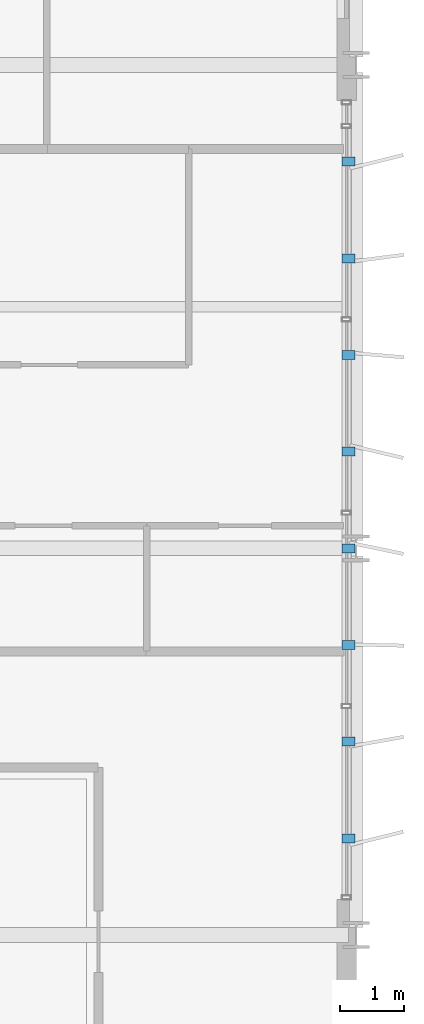
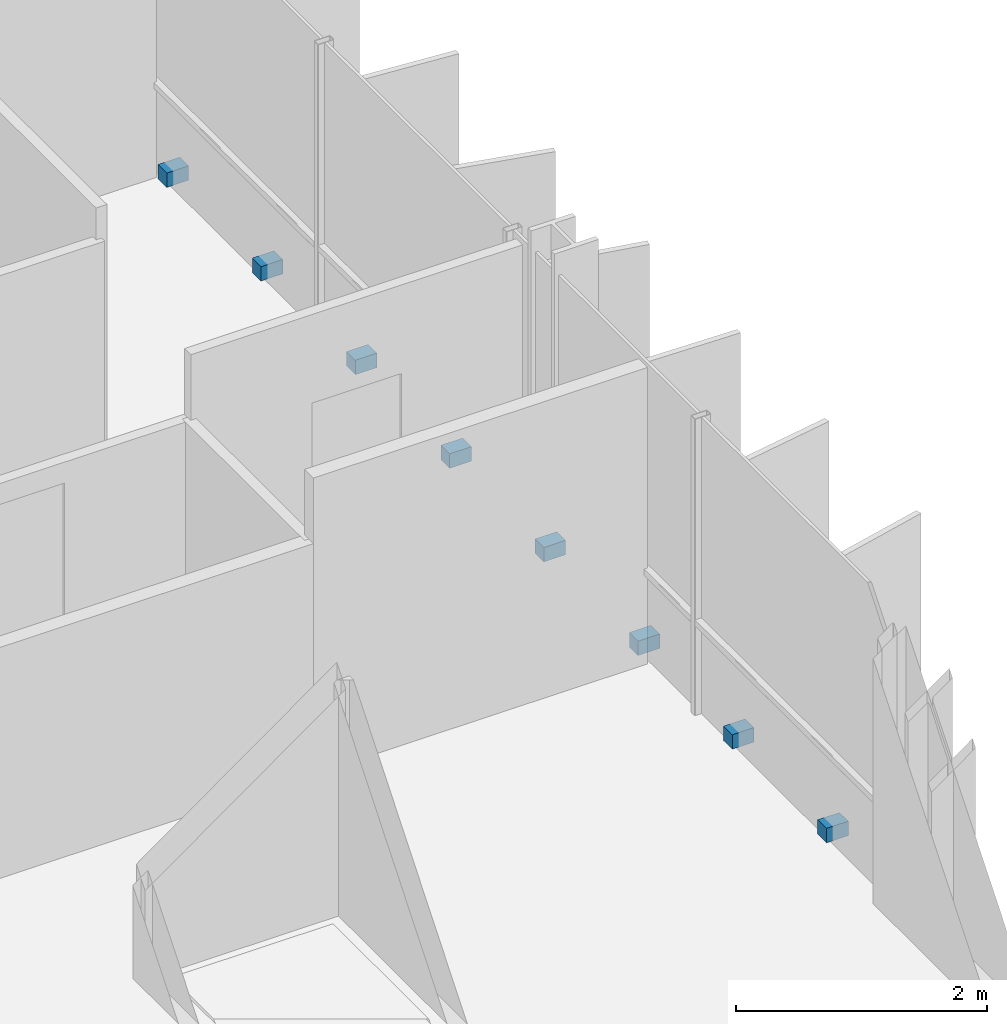
# One storey, part 36 of 40: 8 discrete accessories.
"""IFC4 building model written with IfcOpenShell, lengths in metres."""

from ifc_helpers import new_model, si_unit, direction, frame, origin, origin_2d, place, context, subcontext, project, spatial, rectangle, extrude, material, type_object, element, save


model = new_model("IFC4")

# Units and contexts
model_context = context("Model", 3, precision=1e-05, world=origin(), true_north=direction((0.0, 1.0)))
body_context = subcontext(model_context, "Body", "Model", "MODEL_VIEW")
ifc_project = project(units=[si_unit("LENGTHUNIT", "METRE"), si_unit("AREAUNIT", "SQUARE_METRE"), si_unit("VOLUMEUNIT", "CUBIC_METRE"), si_unit("PLANEANGLEUNIT", "RADIAN"), si_unit("MASSUNIT", "GRAM", prefix="KILO")], contexts=[model_context])

# Site, building, storey
site_placement = place(None, origin())
site = spatial("IfcSite", under=ifc_project, at=site_placement, CompositionType="ELEMENT")
building_placement = place(site_placement, origin())
building = spatial("IfcBuilding", under=site, at=building_placement, Name="Brevholm Reach", CompositionType="ELEMENT")
storey_placement = place(building_placement, frame((0.0, 0.0, 160.39990234375)))
storey = spatial("IfcBuildingStorey", under=building, at=storey_placement, Name="L48", CompositionType="ELEMENT", Elevation=160.39990234375)

# Discrete accessories
ifc_material = material(Name="Duplex Stainless Steel EN 1.4462", Category="steel")
discrete_accessory_type = type_object("IfcDiscreteAccessoryType", Name="ACC-BRK-01", PredefinedType="BRACKET", material=ifc_material)
for number, where, z_axis, x_axis, name in (
    (1, (59.8798828125, 11.5, 0.0302734375), (0.0, 0.0, 1.0), (1.0, 0.0, 0.0), "L48 Solar Screen Support Bracket 1"),
    (2, (59.8798828125, 13.0, 0.0302734375), (0.0, 0.0, 1.0), (1.0, 0.0, 0.0), "L48 Solar Screen Support Bracket 2"),
    (3, (59.8798828125, 14.5, 0.0302734375), (0.0, 0.0, 1.0), (1.0, 0.0, 0.0), "L48 Solar Screen Support Bracket 3"),
    (4, (59.8798828125, 16.0, 0.0302734375), (0.0, 0.0, 1.0), (1.0, 0.0, 0.0), "L48 Solar Screen Support Bracket 4"),
    (5, (59.8798828125, 17.5, 0.0302734375), (0.0, 0.0, 1.0), (1.0, 0.0, 0.0), "L48 Solar Screen Support Bracket 5"),
    (6, (59.8798828125, 19.0, 0.0302734375), (0.0, 0.0, 1.0), (1.0, 0.0, 0.0), "L48 Solar Screen Support Bracket 6"),
    (7, (59.8798828125, 20.5, 0.0302734375), (0.0, 0.0, 1.0), (1.0, 0.0, 0.0), "L48 Solar Screen Support Bracket 7"),
    (8, (59.8798828125, 22.0, 0.0302734375), (0.0, 0.0, 1.0), (1.0, 0.0, 0.0), "L48 Solar Screen Support Bracket 8"),
):
    element("IfcDiscreteAccessory", number, at=place(storey_placement, frame(where, z_axis=z_axis, x_axis=x_axis)), inside=storey, type_object=discrete_accessory_type, Name=name, PredefinedType="BRACKET", context=body_context, shape_type="SweptSolid", body=[
        extrude(rectangle(XDim=0.199951171875, YDim=0.139892578125, at=origin_2d()), origin(), (0.0, 0.0, 1.0), 0.139892578125),
    ])

save(model, "model.ifc")
